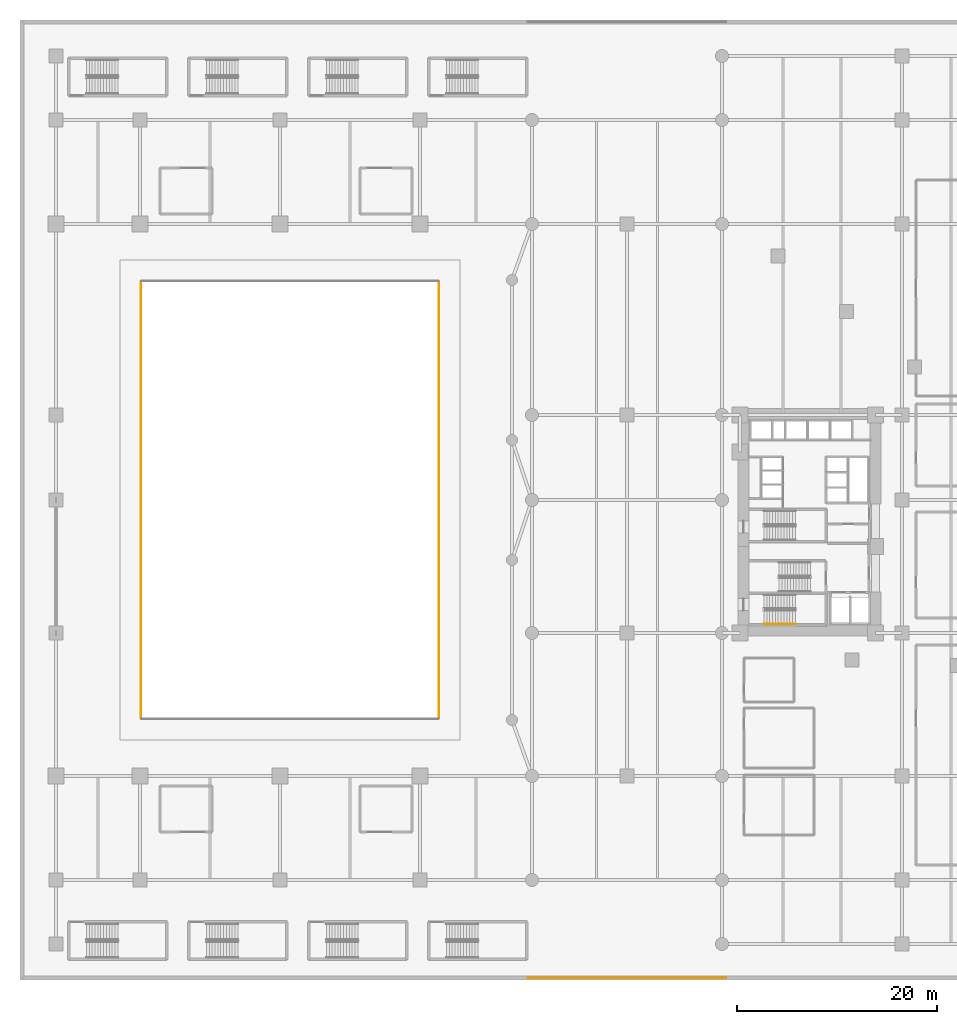
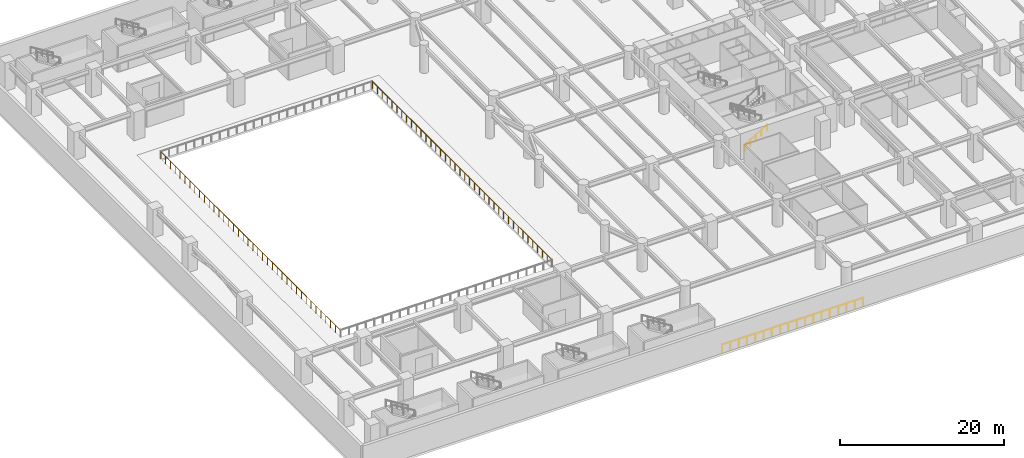
# One storey, part 18 of 22: 4 railings.
"""IFC4 building model written with IfcOpenShell, lengths in metres."""

import ifcopenshell
import ifcopenshell.guid

model = None  # the IFC model being written
_history = None  # IfcOwnerHistory: only IFC2X3 demands one
_inside = {}  # id of a spatial element -> (the spatial element, [elements in it])
_under = {}  # id of a project, library or spatial element -> (it, [spatial elements below it])
_declared = {}  # id of a project -> (the project, [libraries it declares])
_typed = {}  # id of a type object -> (the type object, [elements of that type])
_made_of = {}  # id of a material, layer set ... -> (it, [elements and type objects made of it])


def new_model(schema):
    """Start an empty IFC model of exactly this schema.

    Asked for "IFC4X3", IfcOpenShell would pick the latest addendum, in which some entities
    have other attributes; the version numbers below select the first issue.
    IFC2X3 requires an IfcOwnerHistory on every rooted entity: one is made here for all.
    """
    global model, _history
    if schema == "IFC4X3":
        model = ifcopenshell.file(schema_version=(4, 3, 0, 0))
    else:
        model = ifcopenshell.file(schema=schema)
    _inside.clear()
    _under.clear()
    _declared.clear()
    _typed.clear()
    _made_of.clear()
    _history = None
    if model.schema == "IFC2X3":
        org = make("IfcOrganization", Name="unknown")
        user = make(
            "IfcPersonAndOrganization",
            ThePerson=make("IfcPerson", FamilyName="unknown"),
            TheOrganization=org,
        )
        app = make(
            "IfcApplication",
            ApplicationDeveloper=org,
            Version="unknown",
            ApplicationFullName="unknown",
            ApplicationIdentifier="unknown",
        )
        _history = make(
            "IfcOwnerHistory",
            OwningUser=user,
            OwningApplication=app,
            ChangeAction="ADDED",
            CreationDate=0,
        )
    return model


def make(cls, **values):
    """One entity of the class cls with the attributes given. An attribute that is None is left unset."""
    return model.create_entity(
        cls, **{name: value for name, value in values.items() if value is not None}
    )


def rooted(cls, **values):
    """An entity with a GlobalId (a new one), such as an element, a storey or a relation."""
    return make(cls, GlobalId=ifcopenshell.guid.new(), OwnerHistory=_history, **values)


def si_unit(unit_type, name, prefix=None):
    """IfcSIUnit, for example si_unit("LENGTHUNIT", "METRE", prefix="MILLI")."""
    return make("IfcSIUnit", UnitType=unit_type, Prefix=prefix, Name=name)


def assignment(units):
    """IfcUnitAssignment: the units of a project."""
    return None if units is None else make("IfcUnitAssignment", Units=units)


def point(xyz):
    """IfcCartesianPoint."""
    return None if xyz is None else make("IfcCartesianPoint", Coordinates=xyz)


def direction(xyz):
    """IfcDirection."""
    return None if xyz is None else make("IfcDirection", DirectionRatios=xyz)


def frame(location, z_axis=None, x_axis=None):
    """IfcAxis2Placement3D, a coordinate frame: its origin and axes. An axis left out is left unset."""
    return make(
        "IfcAxis2Placement3D",
        Location=point(location),
        Axis=direction(z_axis),
        RefDirection=direction(x_axis),
    )


def frame_2d(location, x_axis=None):
    """IfcAxis2Placement2D, a coordinate frame in the plane: its origin and x axis."""
    return make(
        "IfcAxis2Placement2D", Location=point(location), RefDirection=direction(x_axis)
    )


def origin():
    """The frame at (0, 0, 0) with its axes left unset."""
    return frame((0.0, 0.0, 0.0))


def origin_2d():
    """The frame at (0, 0) in the plane with its x axis left unset."""
    return frame_2d((0.0, 0.0))


def place(relative_to, where):
    """IfcLocalPlacement: puts the frame where relative to a parent placement (None: the world)."""
    return make(
        "IfcLocalPlacement", PlacementRelTo=relative_to, RelativePlacement=where
    )


def context(
    kind, dimensions, precision=None, world=None, true_north=None, identifier=None
):
    """IfcGeometricRepresentationContext, for example the 3D "Model" context."""
    return make(
        "IfcGeometricRepresentationContext",
        ContextIdentifier=identifier,
        ContextType=kind,
        CoordinateSpaceDimension=dimensions,
        Precision=precision,
        WorldCoordinateSystem=world,
        TrueNorth=true_north,
    )


def subcontext(parent, identifier, kind, view, scale=None):
    """IfcGeometricRepresentationSubContext, for example "Body" below "Model"."""
    return make(
        "IfcGeometricRepresentationSubContext",
        ContextIdentifier=identifier,
        ContextType=kind,
        ParentContext=parent,
        TargetScale=scale,
        TargetView=view,
    )


def project(units=None, contexts=None):
    """IfcProject with its units and contexts."""
    return rooted(
        "IfcProject",
        Name="project",
        RepresentationContexts=contexts,
        UnitsInContext=assignment(units),
    )


def spatial(cls, under=None, at=None, **own):
    """A site, building, storey or space (cls), placed at a placement, below another one or the project."""
    s = rooted(cls, ObjectPlacement=at, **own)
    if under is not None:
        _under.setdefault(under.id(), (under, []))[1].append(s)
    return s


def profile(cls, at=None, kind="AREA", **sizes):
    """A parametric profile (cls). Its sizes go by their IFC names, for example OverallWidth=200.0."""
    return make(cls, ProfileType=kind, Position=at, **sizes)


def circle(**sizes):
    """IfcCircleProfileDef."""
    return profile("IfcCircleProfileDef", **sizes)


def extrude(swept, where, along, depth):
    """IfcExtrudedAreaSolid: the profile swept, set in the frame where, extruded along a direction by depth."""
    return make(
        "IfcExtrudedAreaSolid",
        SweptArea=swept,
        Position=where,
        ExtrudedDirection=direction(along),
        Depth=depth,
    )


def shape(context_of_items, identifier, shape_type, items):
    """IfcShapeRepresentation: the items that make up one representation, for example the "Body"."""
    return make(
        "IfcShapeRepresentation",
        ContextOfItems=context_of_items,
        RepresentationIdentifier=identifier,
        RepresentationType=shape_type,
        Items=items,
    )


def material(Name=None, Category=None):
    """IfcMaterial."""
    return make("IfcMaterial", Name=Name, Category=Category)


def made_of(thing, what):
    """Note that an element or type object is made of a material, layer set ...; save() writes the relation."""
    if what is not None:
        _made_of.setdefault(what.id(), (what, []))[1].append(thing)
    return thing


def type_object(cls, material=None, **own):
    """A type object (cls), such as IfcWallType, which elements share."""
    return made_of(rooted(cls, **own), material)


def element(
    cls,
    number,
    at=None,
    inside=None,
    cuts=None,
    type_object=None,
    material=None,
    context=None,
    identifier="Body",
    shape_type=None,
    held_by="IfcProductDefinitionShape",
    body=None,
    shapes=None,
    **own,
):
    """One element of the class cls, such as IfcWall. Its Tag is "e" and its number.

    at: its placement. inside: the storey or other place that contains it. cuts: it is an
    opening in that element (IfcRelVoidsElement). A single representation is given by context,
    identifier, shape_type and body (its items); several are given by shapes. held_by: the class
    of the entity that holds the representations. save() writes the other relations.
    """
    e = rooted(cls, Tag="e%d" % number, ObjectPlacement=at, **own)
    if body is not None:
        shapes = [shape(context, identifier, shape_type, body)]
    if shapes is not None:
        e.Representation = make(held_by, Representations=shapes)
    if inside is not None:
        _inside.setdefault(inside.id(), (inside, []))[1].append(e)
    if cuts is not None:
        rooted(
            "IfcRelVoidsElement", RelatingBuildingElement=cuts, RelatedOpeningElement=e
        )
    if type_object is not None:
        _typed.setdefault(type_object.id(), (type_object, []))[1].append(e)
    return made_of(e, material)


def aggregate(whole, parts):
    """IfcRelAggregates: a whole, such as a stair, and the parts it consists of."""
    return rooted("IfcRelAggregates", RelatingObject=whole, RelatedObjects=parts)


def save(model, path):
    """Write the relations noted so far, then the file.

    IfcRelAggregates (storeys below a building ...), IfcRelContainedInSpatialStructure (elements
    in a storey), IfcRelDefinesByType, IfcRelAssociatesMaterial and IfcRelDeclares: one each for
    every whole, place, type object, material and project.
    """
    for whole, parts in _under.values():
        aggregate(whole, parts)
    for where, things in _inside.values():
        rooted(
            "IfcRelContainedInSpatialStructure",
            RelatedElements=things,
            RelatingStructure=where,
        )
    for kind, things in _typed.values():
        rooted("IfcRelDefinesByType", RelatedObjects=things, RelatingType=kind)
    for what, things in _made_of.values():
        rooted("IfcRelAssociatesMaterial", RelatedObjects=things, RelatingMaterial=what)
    for by, libraries in _declared.values():
        rooted("IfcRelDeclares", RelatingContext=by, RelatedDefinitions=libraries)
    model.write(path)


model = new_model("IFC4")

# Units and contexts
model_context = context("Model", 3, precision=1e-05, world=origin(), true_north=direction((0.0, 1.0)))
body_context = subcontext(model_context, "Body", "Model", "MODEL_VIEW")
ifc_project = project(units=[si_unit("LENGTHUNIT", "METRE"), si_unit("AREAUNIT", "SQUARE_METRE"), si_unit("VOLUMEUNIT", "CUBIC_METRE"), si_unit("PLANEANGLEUNIT", "RADIAN"), si_unit("MASSUNIT", "GRAM", prefix="KILO")], contexts=[model_context])

# Site, building, storey
site_placement = place(None, origin())
site = spatial("IfcSite", under=ifc_project, at=site_placement, CompositionType="ELEMENT")
building_placement = place(site_placement, origin())
building = spatial("IfcBuilding", under=site, at=building_placement, Name="Narakoshi Arena Tower", CompositionType="ELEMENT")
storey_placement = place(building_placement, frame((0.0, 0.0, 13.199951171875)))
storey = spatial("IfcBuildingStorey", under=building, at=storey_placement, Name="L03", CompositionType="ELEMENT", Elevation=13.199951171875)

# Railings
ifc_material_1 = material(Name="Clear low-iron laminated structural glass", Category="glass")
railing_type_1 = type_object("IfcRailingType", Name="RL-BAL-1100", PredefinedType="BALUSTRADE", material=ifc_material_1)
railing_1_placement = place(storey_placement, frame((41.8798828125, 26.159912109375, 0.0)))
element("IfcRailing", 1, at=railing_1_placement, inside=storey, type_object=railing_type_1, Name="L03 Arena Bowl Tier Balustrade 2", PredefinedType="BALUSTRADE", context=body_context, shape_type="SweptSolid", body=[
    extrude(circle(Radius=0.02392578125, at=origin_2d()), frame((0.0, 0.0, 1.09619140625), z_axis=(0.0, 1.0, 0.0), x_axis=(-1.0, 0.0, 0.0)), (0.0, 0.0, 1.0), 43.68017578125),
    extrude(circle(Radius=0.02099609375, at=origin_2d()), origin(), (0.0, 0.0, 1.0), 1.072021484375),
    extrude(circle(Radius=0.02099609375, at=origin_2d()), frame((0.0, 1.1806640625, 0.0)), (0.0, 0.0, 1.0), 1.072021484375),
    extrude(circle(Radius=0.02099609375, at=origin_2d()), frame((0.0, 2.361083984375, 0.0)), (0.0, 0.0, 1.0), 1.072021484375),
    extrude(circle(Radius=0.02099609375, at=origin_2d()), frame((0.0, 3.541748046875, 0.0)), (0.0, 0.0, 1.0), 1.072021484375),
    extrude(circle(Radius=0.02099609375, at=origin_2d()), frame((0.0, 4.72216796875, 0.0)), (0.0, 0.0, 1.0), 1.072021484375),
    extrude(circle(Radius=0.02099609375, at=origin_2d()), frame((0.0, 5.90283203125, 0.0)), (0.0, 0.0, 1.0), 1.072021484375),
    extrude(circle(Radius=0.02099609375, at=origin_2d()), frame((0.0, 7.083251953125, 0.0)), (0.0, 0.0, 1.0), 1.072021484375),
    extrude(circle(Radius=0.02099609375, at=origin_2d()), frame((0.0, 8.263916015625, 0.0)), (0.0, 0.0, 1.0), 1.072021484375),
    extrude(circle(Radius=0.02099609375, at=origin_2d()), frame((0.0, 9.4443359375, 0.0)), (0.0, 0.0, 1.0), 1.072021484375),
    extrude(circle(Radius=0.02099609375, at=origin_2d()), frame((0.0, 10.625, 0.0)), (0.0, 0.0, 1.0), 1.072021484375),
    extrude(circle(Radius=0.02099609375, at=origin_2d()), frame((0.0, 11.805419921875, 0.0)), (0.0, 0.0, 1.0), 1.072021484375),
    extrude(circle(Radius=0.02099609375, at=origin_2d()), frame((0.0, 12.986083984375, 0.0)), (0.0, 0.0, 1.0), 1.072021484375),
    extrude(circle(Radius=0.02099609375, at=origin_2d()), frame((0.0, 14.16650390625, 0.0)), (0.0, 0.0, 1.0), 1.072021484375),
    extrude(circle(Radius=0.02099609375, at=origin_2d()), frame((0.0, 15.34716796875, 0.0)), (0.0, 0.0, 1.0), 1.072021484375),
    extrude(circle(Radius=0.02099609375, at=origin_2d()), frame((0.0, 16.527587890625, 0.0)), (0.0, 0.0, 1.0), 1.072021484375),
    extrude(circle(Radius=0.02099609375, at=origin_2d()), frame((0.0, 17.708251953125, 0.0)), (0.0, 0.0, 1.0), 1.072021484375),
    extrude(circle(Radius=0.02099609375, at=origin_2d()), frame((0.0, 18.888671875, 0.0)), (0.0, 0.0, 1.0), 1.072021484375),
    extrude(circle(Radius=0.02099609375, at=origin_2d()), frame((0.0, 20.0693359375, 0.0)), (0.0, 0.0, 1.0), 1.072021484375),
    extrude(circle(Radius=0.02099609375, at=origin_2d()), frame((0.0, 21.249755859375, 0.0)), (0.0, 0.0, 1.0), 1.072021484375),
    extrude(circle(Radius=0.02099609375, at=origin_2d()), frame((0.0, 22.430419921875, 0.0)), (0.0, 0.0, 1.0), 1.072021484375),
    extrude(circle(Radius=0.02099609375, at=origin_2d()), frame((0.0, 23.61083984375, 0.0)), (0.0, 0.0, 1.0), 1.072021484375),
    extrude(circle(Radius=0.02099609375, at=origin_2d()), frame((0.0, 24.79150390625, 0.0)), (0.0, 0.0, 1.0), 1.072021484375),
    extrude(circle(Radius=0.02099609375, at=origin_2d()), frame((0.0, 25.971923828125, 0.0)), (0.0, 0.0, 1.0), 1.072021484375),
    extrude(circle(Radius=0.02099609375, at=origin_2d()), frame((0.0, 27.152587890625, 0.0)), (0.0, 0.0, 1.0), 1.072021484375),
    extrude(circle(Radius=0.02099609375, at=origin_2d()), frame((0.0, 28.3330078125, 0.0)), (0.0, 0.0, 1.0), 1.072021484375),
    extrude(circle(Radius=0.02099609375, at=origin_2d()), frame((0.0, 29.513671875, 0.0)), (0.0, 0.0, 1.0), 1.072021484375),
    extrude(circle(Radius=0.02099609375, at=origin_2d()), frame((0.0, 30.694091796875, 0.0)), (0.0, 0.0, 1.0), 1.072021484375),
    extrude(circle(Radius=0.02099609375, at=origin_2d()), frame((0.0, 31.874755859375, 0.0)), (0.0, 0.0, 1.0), 1.072021484375),
    extrude(circle(Radius=0.02099609375, at=origin_2d()), frame((0.0, 33.05517578125, 0.0)), (0.0, 0.0, 1.0), 1.072021484375),
    extrude(circle(Radius=0.02099609375, at=origin_2d()), frame((0.0, 34.23583984375, 0.0)), (0.0, 0.0, 1.0), 1.072021484375),
    extrude(circle(Radius=0.02099609375, at=origin_2d()), frame((0.0, 35.416259765625, 0.0)), (0.0, 0.0, 1.0), 1.072021484375),
    extrude(circle(Radius=0.02099609375, at=origin_2d()), frame((0.0, 36.596923828125, 0.0)), (0.0, 0.0, 1.0), 1.072021484375),
    extrude(circle(Radius=0.02099609375, at=origin_2d()), frame((0.0, 37.77734375, 0.0)), (0.0, 0.0, 1.0), 1.072021484375),
    extrude(circle(Radius=0.02099609375, at=origin_2d()), frame((0.0, 38.9580078125, 0.0)), (0.0, 0.0, 1.0), 1.072021484375),
    extrude(circle(Radius=0.02099609375, at=origin_2d()), frame((0.0, 40.138427734375, 0.0)), (0.0, 0.0, 1.0), 1.072021484375),
    extrude(circle(Radius=0.02099609375, at=origin_2d()), frame((0.0, 41.319091796875, 0.0)), (0.0, 0.0, 1.0), 1.072021484375),
    extrude(circle(Radius=0.02099609375, at=origin_2d()), frame((0.0, 42.49951171875, 0.0)), (0.0, 0.0, 1.0), 1.072021484375),
    extrude(circle(Radius=0.02099609375, at=origin_2d()), frame((0.0, 43.68017578125, 0.0)), (0.0, 0.0, 1.0), 1.072021484375),
])
railing_2_placement = place(storey_placement, frame((12.1201171875, 69.840087890625, 0.0)))
element("IfcRailing", 2, at=railing_2_placement, inside=storey, type_object=railing_type_1, Name="L03 Arena Bowl Tier Balustrade 4", PredefinedType="BALUSTRADE", context=body_context, shape_type="SweptSolid", body=[
    extrude(circle(Radius=0.02392578125, at=origin_2d()), frame((0.0, 0.0, 1.09619140625), z_axis=(0.0, -1.0, 0.0), x_axis=(1.0, 0.0, 0.0)), (0.0, 0.0, 1.0), 43.68017578125),
    extrude(circle(Radius=0.02099609375, at=origin_2d()), origin(), (0.0, 0.0, 1.0), 1.072021484375),
    extrude(circle(Radius=0.02099609375, at=origin_2d()), frame((0.0, -1.1806640625, 0.0)), (0.0, 0.0, 1.0), 1.072021484375),
    extrude(circle(Radius=0.02099609375, at=origin_2d()), frame((0.0, -2.361083984375, 0.0)), (0.0, 0.0, 1.0), 1.072021484375),
    extrude(circle(Radius=0.02099609375, at=origin_2d()), frame((0.0, -3.541748046875, 0.0)), (0.0, 0.0, 1.0), 1.072021484375),
    extrude(circle(Radius=0.02099609375, at=origin_2d()), frame((0.0, -4.72216796875, 0.0)), (0.0, 0.0, 1.0), 1.072021484375),
    extrude(circle(Radius=0.02099609375, at=origin_2d()), frame((0.0, -5.90283203125, 0.0)), (0.0, 0.0, 1.0), 1.072021484375),
    extrude(circle(Radius=0.02099609375, at=origin_2d()), frame((0.0, -7.083251953125, 0.0)), (0.0, 0.0, 1.0), 1.072021484375),
    extrude(circle(Radius=0.02099609375, at=origin_2d()), frame((0.0, -8.263916015625, 0.0)), (0.0, 0.0, 1.0), 1.072021484375),
    extrude(circle(Radius=0.02099609375, at=origin_2d()), frame((0.0, -9.4443359375, 0.0)), (0.0, 0.0, 1.0), 1.072021484375),
    extrude(circle(Radius=0.02099609375, at=origin_2d()), frame((0.0, -10.625, 0.0)), (0.0, 0.0, 1.0), 1.072021484375),
    extrude(circle(Radius=0.02099609375, at=origin_2d()), frame((0.0, -11.805419921875, 0.0)), (0.0, 0.0, 1.0), 1.072021484375),
    extrude(circle(Radius=0.02099609375, at=origin_2d()), frame((0.0, -12.986083984375, 0.0)), (0.0, 0.0, 1.0), 1.072021484375),
    extrude(circle(Radius=0.02099609375, at=origin_2d()), frame((0.0, -14.16650390625, 0.0)), (0.0, 0.0, 1.0), 1.072021484375),
    extrude(circle(Radius=0.02099609375, at=origin_2d()), frame((0.0, -15.34716796875, 0.0)), (0.0, 0.0, 1.0), 1.072021484375),
    extrude(circle(Radius=0.02099609375, at=origin_2d()), frame((0.0, -16.527587890625, 0.0)), (0.0, 0.0, 1.0), 1.072021484375),
    extrude(circle(Radius=0.02099609375, at=origin_2d()), frame((0.0, -17.708251953125, 0.0)), (0.0, 0.0, 1.0), 1.072021484375),
    extrude(circle(Radius=0.02099609375, at=origin_2d()), frame((0.0, -18.888671875, 0.0)), (0.0, 0.0, 1.0), 1.072021484375),
    extrude(circle(Radius=0.02099609375, at=origin_2d()), frame((0.0, -20.0693359375, 0.0)), (0.0, 0.0, 1.0), 1.072021484375),
    extrude(circle(Radius=0.02099609375, at=origin_2d()), frame((0.0, -21.249755859375, 0.0)), (0.0, 0.0, 1.0), 1.072021484375),
    extrude(circle(Radius=0.02099609375, at=origin_2d()), frame((0.0, -22.430419921875, 0.0)), (0.0, 0.0, 1.0), 1.072021484375),
    extrude(circle(Radius=0.02099609375, at=origin_2d()), frame((0.0, -23.61083984375, 0.0)), (0.0, 0.0, 1.0), 1.072021484375),
    extrude(circle(Radius=0.02099609375, at=origin_2d()), frame((0.0, -24.79150390625, 0.0)), (0.0, 0.0, 1.0), 1.072021484375),
    extrude(circle(Radius=0.02099609375, at=origin_2d()), frame((0.0, -25.971923828125, 0.0)), (0.0, 0.0, 1.0), 1.072021484375),
    extrude(circle(Radius=0.02099609375, at=origin_2d()), frame((0.0, -27.152587890625, 0.0)), (0.0, 0.0, 1.0), 1.072021484375),
    extrude(circle(Radius=0.02099609375, at=origin_2d()), frame((0.0, -28.3330078125, 0.0)), (0.0, 0.0, 1.0), 1.072021484375),
    extrude(circle(Radius=0.02099609375, at=origin_2d()), frame((0.0, -29.513671875, 0.0)), (0.0, 0.0, 1.0), 1.072021484375),
    extrude(circle(Radius=0.02099609375, at=origin_2d()), frame((0.0, -30.694091796875, 0.0)), (0.0, 0.0, 1.0), 1.072021484375),
    extrude(circle(Radius=0.02099609375, at=origin_2d()), frame((0.0, -31.874755859375, 0.0)), (0.0, 0.0, 1.0), 1.072021484375),
    extrude(circle(Radius=0.02099609375, at=origin_2d()), frame((0.0, -33.05517578125, 0.0)), (0.0, 0.0, 1.0), 1.072021484375),
    extrude(circle(Radius=0.02099609375, at=origin_2d()), frame((0.0, -34.23583984375, 0.0)), (0.0, 0.0, 1.0), 1.072021484375),
    extrude(circle(Radius=0.02099609375, at=origin_2d()), frame((0.0, -35.416259765625, 0.0)), (0.0, 0.0, 1.0), 1.072021484375),
    extrude(circle(Radius=0.02099609375, at=origin_2d()), frame((0.0, -36.596923828125, 0.0)), (0.0, 0.0, 1.0), 1.072021484375),
    extrude(circle(Radius=0.02099609375, at=origin_2d()), frame((0.0, -37.77734375, 0.0)), (0.0, 0.0, 1.0), 1.072021484375),
    extrude(circle(Radius=0.02099609375, at=origin_2d()), frame((0.0, -38.9580078125, 0.0)), (0.0, 0.0, 1.0), 1.072021484375),
    extrude(circle(Radius=0.02099609375, at=origin_2d()), frame((0.0, -40.138427734375, 0.0)), (0.0, 0.0, 1.0), 1.072021484375),
    extrude(circle(Radius=0.02099609375, at=origin_2d()), frame((0.0, -41.319091796875, 0.0)), (0.0, 0.0, 1.0), 1.072021484375),
    extrude(circle(Radius=0.02099609375, at=origin_2d()), frame((0.0, -42.49951171875, 0.0)), (0.0, 0.0, 1.0), 1.072021484375),
    extrude(circle(Radius=0.02099609375, at=origin_2d()), frame((0.0, -43.68017578125, 0.0)), (0.0, 0.0, 1.0), 1.072021484375),
])
ifc_material_2 = material(Name="Brushed bronze stainless steel", Category="steel")
railing_type_2 = type_object("IfcRailingType", Name="RL-GRD-1150", PredefinedType="GUARDRAIL", material=ifc_material_2)
railing_3_placement = place(storey_placement, frame((50.800048828125, 0.219970703125, 0.0)))
element("IfcRailing", 3, at=railing_3_placement, inside=storey, type_object=railing_type_2, Name="L03 Concourse Portal Sill Guardrail PS", PredefinedType="GUARDRAIL", context=body_context, shape_type="SweptSolid", body=[
    extrude(circle(Radius=0.02392578125, at=origin_2d()), frame((0.0, 0.0, 1.1259765625), z_axis=(1.0, 0.0, 0.0), x_axis=(0.0, 1.0, 0.0)), (0.0, 0.0, 1.0), 19.800048828125),
    extrude(circle(Radius=0.02099609375, at=origin_2d()), origin(), (0.0, 0.0, 1.0), 1.101806640625),
    extrude(circle(Radius=0.02099609375, at=origin_2d()), frame((1.164794921875, 0.0, 0.0)), (0.0, 0.0, 1.0), 1.101806640625),
    extrude(circle(Radius=0.02099609375, at=origin_2d()), frame((2.329345703125, 0.0, 0.0)), (0.0, 0.0, 1.0), 1.101806640625),
    extrude(circle(Radius=0.02099609375, at=origin_2d()), frame((3.494140625, 0.0, 0.0)), (0.0, 0.0, 1.0), 1.101806640625),
    extrude(circle(Radius=0.02099609375, at=origin_2d()), frame((4.658935546875, 0.0, 0.0)), (0.0, 0.0, 1.0), 1.101806640625),
    extrude(circle(Radius=0.02099609375, at=origin_2d()), frame((5.823486328125, 0.0, 0.0)), (0.0, 0.0, 1.0), 1.101806640625),
    extrude(circle(Radius=0.02099609375, at=origin_2d()), frame((6.98828125, 0.0, 0.0)), (0.0, 0.0, 1.0), 1.101806640625),
    extrude(circle(Radius=0.02099609375, at=origin_2d()), frame((8.153076171875, 0.0, 0.0)), (0.0, 0.0, 1.0), 1.101806640625),
    extrude(circle(Radius=0.02099609375, at=origin_2d()), frame((9.317626953125, 0.0, 0.0)), (0.0, 0.0, 1.0), 1.101806640625),
    extrude(circle(Radius=0.02099609375, at=origin_2d()), frame((10.482421875, 0.0, 0.0)), (0.0, 0.0, 1.0), 1.101806640625),
    extrude(circle(Radius=0.02099609375, at=origin_2d()), frame((11.64697265625, 0.0, 0.0)), (0.0, 0.0, 1.0), 1.101806640625),
    extrude(circle(Radius=0.02099609375, at=origin_2d()), frame((12.811767578125, 0.0, 0.0)), (0.0, 0.0, 1.0), 1.101806640625),
    extrude(circle(Radius=0.02099609375, at=origin_2d()), frame((13.9765625, 0.0, 0.0)), (0.0, 0.0, 1.0), 1.101806640625),
    extrude(circle(Radius=0.02099609375, at=origin_2d()), frame((15.14111328125, 0.0, 0.0)), (0.0, 0.0, 1.0), 1.101806640625),
    extrude(circle(Radius=0.02099609375, at=origin_2d()), frame((16.305908203125, 0.0, 0.0)), (0.0, 0.0, 1.0), 1.101806640625),
    extrude(circle(Radius=0.02099609375, at=origin_2d()), frame((17.470703125, 0.0, 0.0)), (0.0, 0.0, 1.0), 1.101806640625),
    extrude(circle(Radius=0.02099609375, at=origin_2d()), frame((18.63525390625, 0.0, 0.0)), (0.0, 0.0, 1.0), 1.101806640625),
    extrude(circle(Radius=0.02099609375, at=origin_2d()), frame((19.800048828125, 0.0, 0.0)), (0.0, 0.0, 1.0), 1.101806640625),
])
railing_type_3 = type_object("IfcRailingType", Name="RL-HND-900", PredefinedType="HANDRAIL", material=ifc_material_2)
railing_4_placement = place(storey_placement, frame((74.39990234375, 35.60009765625, 0.175048828125)))
element("IfcRailing", 4, at=railing_4_placement, inside=storey, type_object=railing_type_3, Name="L03 ST1 stair handrail 1", PredefinedType="HANDRAIL", context=body_context, shape_type="SweptSolid", body=[
    extrude(circle(Radius=0.02392578125, at=origin_2d()), frame((0.0, 0.0, 0.8759765625), z_axis=(0.852166034122, 0.0, 0.523271488128), x_axis=(0.0, 1.0, 0.0)), (0.0, 0.0, 1.0), 3.678955078125),
    extrude(circle(Radius=0.02099609375, at=origin_2d()), origin(), (0.0, 0.0, 1.0), 0.851806640625),
    extrude(circle(Radius=0.02099609375, at=origin_2d()), frame((0.78369140625, 0.0, 0.481201171875)), (0.0, 0.0, 1.0), 0.851806640625),
    extrude(circle(Radius=0.02099609375, at=origin_2d()), frame((1.5673828125, 0.0, 0.96240234375)), (0.0, 0.0, 1.0), 0.851806640625),
    extrude(circle(Radius=0.02099609375, at=origin_2d()), frame((2.351318359375, 0.0, 1.44384765625)), (0.0, 0.0, 1.0), 0.851806640625),
    extrude(circle(Radius=0.02099609375, at=origin_2d()), frame((3.135009765625, 0.0, 1.925048828125)), (0.0, 0.0, 1.0), 0.851806640625),
])

save(model, "model.ifc")
